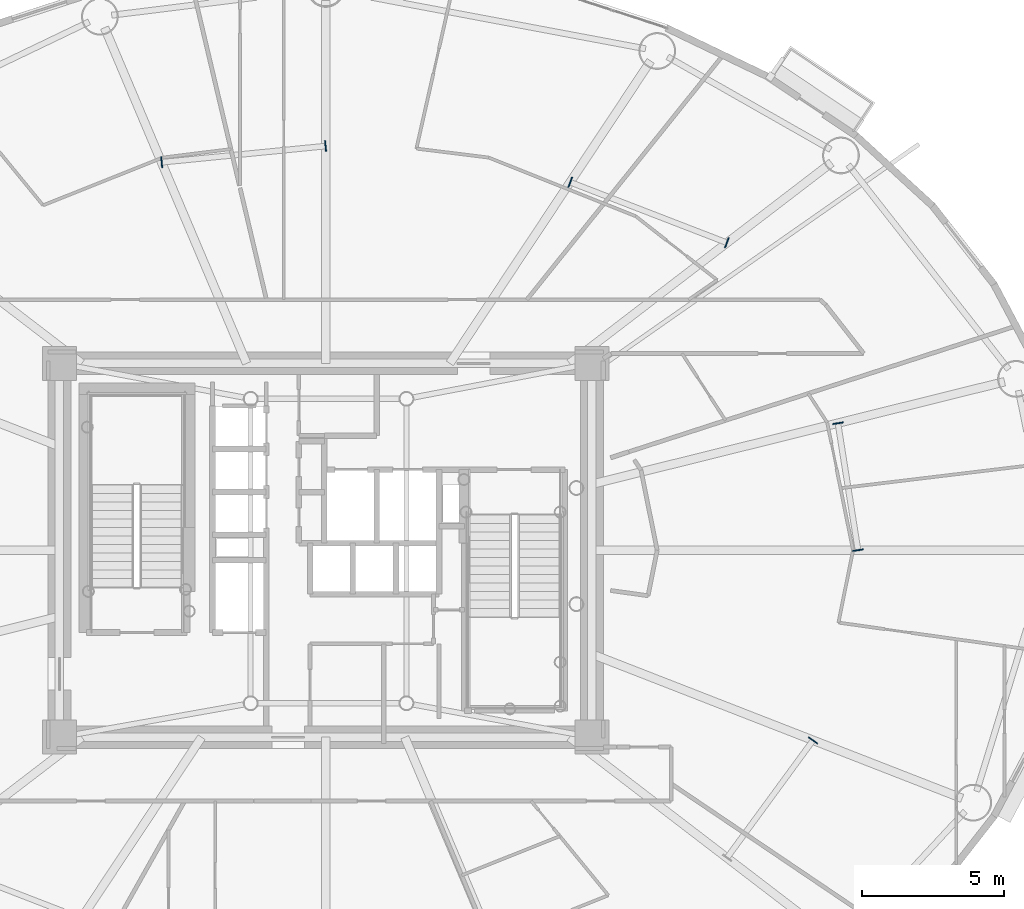
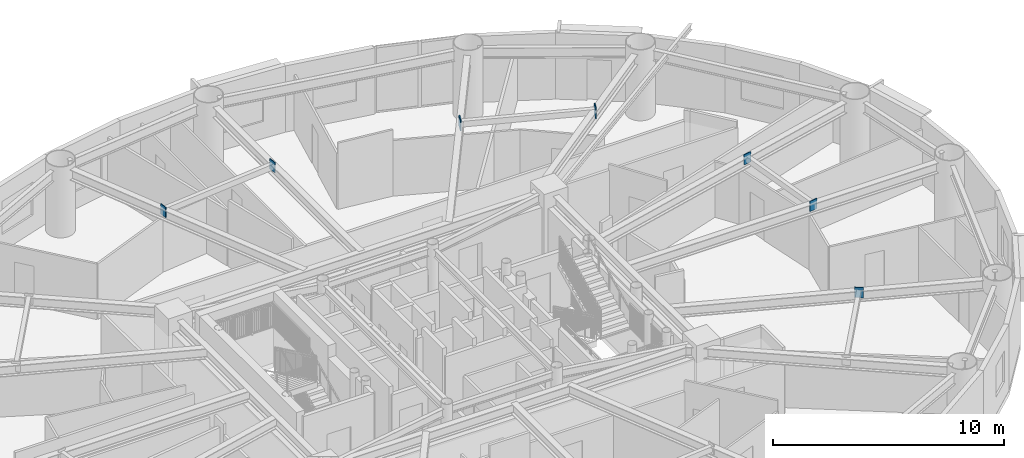
# One storey, part 8 of 21: 7 plates.
"""IFC4 building model written with IfcOpenShell, lengths in metres."""

from ifc_helpers import new_model, si_unit, direction, frame, origin, origin_2d, place, context, subcontext, project, spatial, rectangle, extrude, source, transform, mapped, material, layer, layer_set, type_object, element, save


model = new_model("IFC4")

# Units and contexts
model_context = context("Model", 3, precision=1e-05, world=origin(), true_north=direction((0.0, 1.0)))
body_context = subcontext(model_context, "Body", "Model", "MODEL_VIEW")
ifc_project = project(units=[si_unit("LENGTHUNIT", "METRE"), si_unit("AREAUNIT", "SQUARE_METRE"), si_unit("VOLUMEUNIT", "CUBIC_METRE"), si_unit("PLANEANGLEUNIT", "RADIAN"), si_unit("MASSUNIT", "GRAM", prefix="KILO")], contexts=[model_context])

# Site, building, storey
site_placement = place(None, origin())
site = spatial("IfcSite", under=ifc_project, at=site_placement, CompositionType="ELEMENT")
building_placement = place(site_placement, origin())
building = spatial("IfcBuilding", under=site, at=building_placement, Name="Linh Dai School and Residence Tower", CompositionType="ELEMENT")
storey_placement = place(building_placement, frame((0.0, 0.0, 156.14990234375)))
storey = spatial("IfcBuildingStorey", under=building, at=storey_placement, Name="L37", CompositionType="ELEMENT", Elevation=156.14990234375)

# Plates
ifc_material = material(Name="Structural Steel S355JR", Category="steel")
ifc_layer = layer(ifc_material, 0.0400390625)
ifc_layer_set = layer_set([ifc_layer], Name="Structural Steel S355JR")
plate_type = type_object("IfcPlateType", Name="PLT-GP1", PredefinedType="USERDEFINED", material=ifc_layer_set)
shared_shape = source(origin(), body_context, "Body", "SweptSolid", [
    extrude(rectangle(XDim=0.0400390625, YDim=0.3798828125, at=origin_2d()), origin(), (0.0, 0.0, 1.0), 0.5400390625),
])
for number, where, z_axis, x_axis, name in (
    (1, (54.795166015625, 27.0048828125, 3.080078125), (0.0, 0.0, 1.0), (-0.156309354655, 0.987708148011, 0.0), "L37 Secondary Beam End Plate 01A"),
    (2, (54.0859375, 31.486572265625, 3.080078125), (0.0, 0.0, 1.0), (-0.156309354655, 0.987708148011, 0.0), "L37 Secondary Beam End Plate 01B"),
    (3, (50.1640625, 37.860107421875, 3.080078125), (0.0, 0.0, 1.0), (-0.932822787929, 0.36033546359, 0.0), "L37 Secondary Beam End Plate 02A"),
    (4, (44.63427734375, 39.99609375, 3.080078125), (0.0, 0.0, 1.0), (-0.932822787929, 0.36033546359, 0.0), "L37 Secondary Beam End Plate 02B"),
    (5, (35.9951171875, 41.27294921875, 3.080078125), (0.0, 0.0, 1.0), (-0.995144649372, -0.098423202682, 0.0), "L37 Secondary Beam End Plate 03A"),
    (6, (30.20751953125, 40.700439453125, 3.080078125), (0.0, 0.0, 1.0), (-0.995144649372, -0.098423202682, 0.0), "L37 Secondary Beam End Plate 03B"),
    (7, (53.205322265625, 20.28857421875, 3.080078125), (0.0, 0.0, 1.0), (0.590797317165, 0.806820010926, 0.0), "L37 Secondary Beam End Plate 08B"),
):
    element("IfcPlate", number, at=place(storey_placement, frame(where, z_axis=z_axis, x_axis=x_axis)), inside=storey, type_object=plate_type, Name=name, ObjectType="GUSSET PLATE", PredefinedType="USERDEFINED", context=body_context, shape_type="MappedRepresentation", body=[
        mapped(shared_shape, transform((0.0, 0.0, 0.0), x_axis=(1.0, 0.0, 0.0), y_axis=(0.0, 1.0, 0.0), z_axis=(0.0, 0.0, 1.0), scale=1.0)),
    ])

save(model, "model.ifc")
